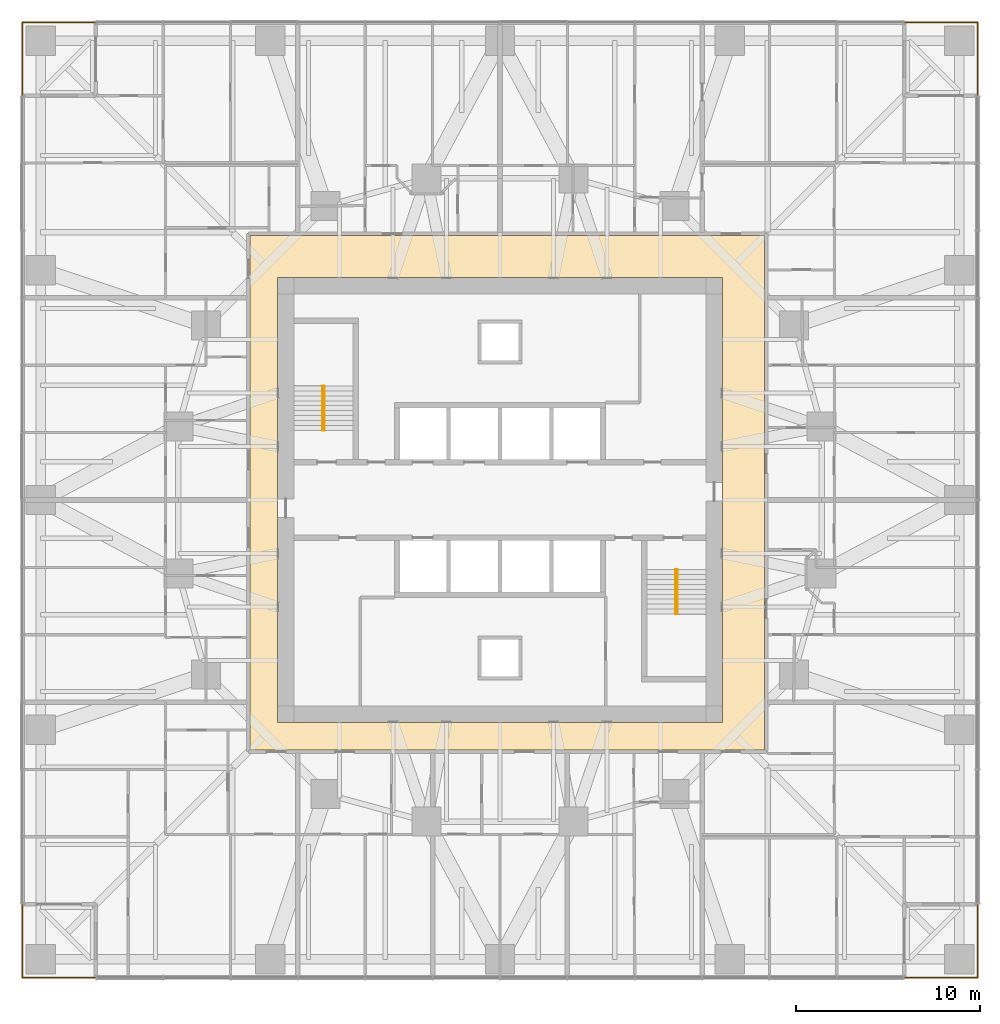
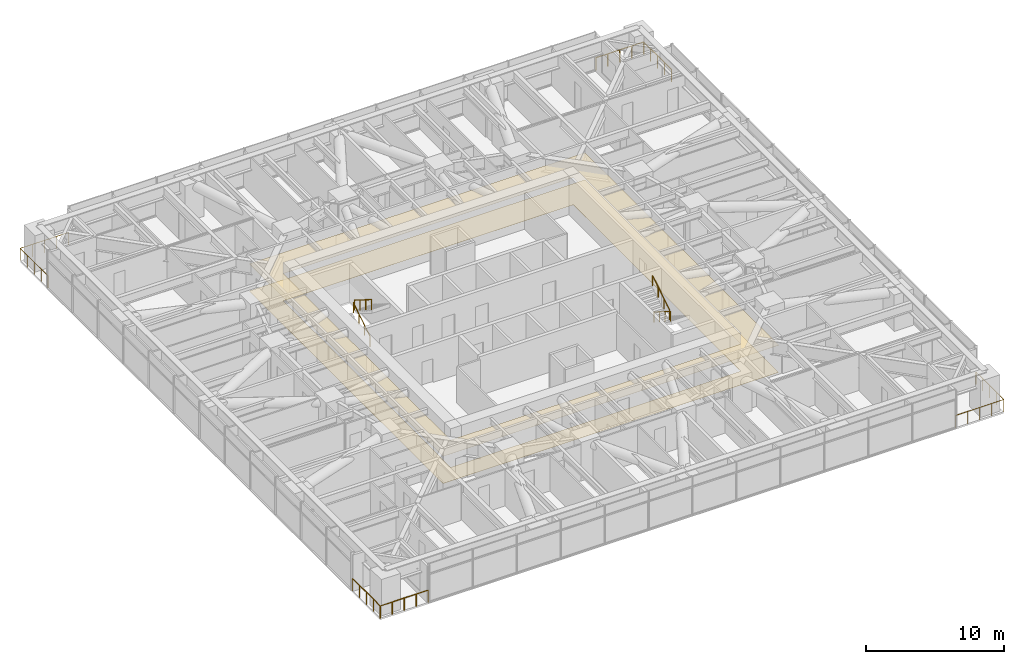
# One storey, part 17 of 17: 8 railings, 2 coverings, 2 elements without a shape of their own.
"""IFC4 building model written with IfcOpenShell, lengths in metres."""

from ifc_helpers import new_model, si_unit, direction, frame, origin, origin_2d, place, context, subcontext, project, spatial, polyline, circle, outline, extrude, material, layer, layer_set, type_object, element, aggregate, save


model = new_model("IFC4")

# Units and contexts
model_context = context("Model", 3, precision=1e-05, world=origin(), true_north=direction((0.0, 1.0)))
body_context = subcontext(model_context, "Body", "Model", "MODEL_VIEW")
ifc_project = project(units=[si_unit("LENGTHUNIT", "METRE"), si_unit("AREAUNIT", "SQUARE_METRE"), si_unit("VOLUMEUNIT", "CUBIC_METRE"), si_unit("PLANEANGLEUNIT", "RADIAN"), si_unit("MASSUNIT", "GRAM", prefix="KILO")], contexts=[model_context])

# Site, building, storey
site_placement = place(None, origin())
site = spatial("IfcSite", under=ifc_project, at=site_placement, CompositionType="ELEMENT")
building_placement = place(site_placement, origin())
building = spatial("IfcBuilding", under=site, at=building_placement, Name="Torsade Residences", CompositionType="ELEMENT")
storey_placement = place(building_placement, frame((0.0, 0.0, 38.800048828125)))
storey = spatial("IfcBuildingStorey", under=building, at=storey_placement, Name="L10", CompositionType="ELEMENT", Elevation=38.800048828125)

# Coverings
ifc_material_1 = material(Name="Nylon carpet tile on underlay", Category="textile")
ifc_layer_1 = layer(ifc_material_1, 0.010009765625)
ifc_layer_set_1 = layer_set([ifc_layer_1], Name="Nylon carpet tile on underlay")
covering_type_1 = type_object("IfcCoveringType", Name="CORRIDOR CARPET TILE 10", PredefinedType="FLOORING", material=ifc_layer_set_1)
covering_1_placement = place(storey_placement, origin())
element("IfcCovering", 1, at=covering_1_placement, inside=storey, type_object=covering_type_1, Name="Corridor carpet L10", PredefinedType="FLOORING", context=body_context, shape_type="SweptSolid", body=[
    extrude(outline(polyline([(54.39990234375, 16.39990234375), (54.39990234375, 44.39990234375), (26.39990234375, 44.39990234375), (26.39990234375, 16.39990234375), (54.39990234375, 16.39990234375)]), holes=[polyline([(52.10009765625, 42.10009765625), (27.89990234375, 42.10009765625), (27.89990234375, 17.89990234375), (52.10009765625, 17.89990234375), (52.10009765625, 42.10009765625)])]), origin(), (0.0, 0.0, 1.0), 0.010009765625),
])
ifc_material_2 = material(Name="Plasterboard on suspended steel grid", Category="steel")
ifc_layer_2 = layer(ifc_material_2, 0.012939453125)
ifc_layer_set_2 = layer_set([ifc_layer_2], Name="Plasterboard on suspended steel grid")
covering_type_2 = type_object("IfcCoveringType", Name="CORRIDOR SUSPENDED CEILING 13", PredefinedType="CEILING", material=ifc_layer_set_2)
covering_2_placement = place(storey_placement, frame((0.0, 0.0, 2.39990234375)))
element("IfcCovering", 2, at=covering_2_placement, inside=storey, type_object=covering_type_2, Name="Corridor ceiling L10", PredefinedType="CEILING", context=body_context, shape_type="SweptSolid", body=[
    extrude(outline(polyline([(54.39990234375, 16.39990234375), (54.39990234375, 44.39990234375), (26.39990234375, 44.39990234375), (26.39990234375, 16.39990234375), (54.39990234375, 16.39990234375)]), holes=[polyline([(52.10009765625, 42.10009765625), (27.89990234375, 42.10009765625), (27.89990234375, 17.89990234375), (52.10009765625, 17.89990234375), (52.10009765625, 42.10009765625)])]), origin(), (0.0, 0.0, 1.0), 0.012939453125),
])

# Stair, railings
ifc_material_3 = material(Name="Precast concrete 40 MPa", Category="concrete")
stair_type = type_object("IfcStairType", Name="HALF-TURN FIRE STAIR 1500x3400", PredefinedType="HALF_TURN_STAIR", material=ifc_material_3)
stair_1_placement = place(storey_placement, origin())
stair_1 = element("IfcStair", 3, at=stair_1_placement, inside=storey, type_object=stair_type, Name="Stair ST1 L10", PredefinedType="HALF_TURN_STAIR")
ifc_material_4 = material(Name="Steel handrail", Category="steel")
railing_type_1 = type_object("IfcRailingType", Name="STAIR HANDRAIL 900", PredefinedType="HANDRAIL", material=ifc_material_4)
railing_1_placement = place(storey_placement, frame((30.35009765625, 33.780029296875, 0.169921875)))
railing_1 = element("IfcRailing", 4, at=railing_1_placement, type_object=railing_type_1, Name="Handrail ST1 flight 1 L10", PredefinedType="HANDRAIL", context=body_context, shape_type="SweptSolid", body=[
    extrude(circle(Radius=0.02392578125, at=origin_2d()), frame((0.0, 0.0, 0.8759765625), z_axis=(0.0, 0.846221481393, 0.532831309544), x_axis=(-1.0, 0.0, 0.0)), (0.0, 0.0, 1.0), 2.87158203125),
    extrude(circle(Radius=0.02099609375, at=origin_2d()), origin(), (0.0, 0.0, 1.0), 0.851806640625),
    extrude(circle(Radius=0.02099609375, at=origin_2d()), frame((0.0, 0.81005859375, 0.510009765625)), (0.0, 0.0, 1.0), 0.851806640625),
    extrude(circle(Radius=0.02099609375, at=origin_2d()), frame((0.0, 1.619873046875, 1.02001953125)), (0.0, 0.0, 1.0), 0.851806640625),
    extrude(circle(Radius=0.02099609375, at=origin_2d()), frame((0.0, 2.429931640625, 1.530029296875)), (0.0, 0.0, 1.0), 0.851806640625),
])
railing_2_placement = place(storey_placement, frame((30.449951171875, 36.2099609375, 1.869873046875)))
railing_2 = element("IfcRailing", 5, at=railing_2_placement, type_object=railing_type_1, Name="Handrail ST1 flight 2 L10", PredefinedType="HANDRAIL", context=body_context, shape_type="SweptSolid", body=[
    extrude(circle(Radius=0.02392578125, at=origin_2d()), frame((0.0, 0.0, 0.8759765625), z_axis=(0.0, -0.846221481393, 0.532831309544), x_axis=(1.0, 0.0, 0.0)), (0.0, 0.0, 1.0), 2.87158203125),
    extrude(circle(Radius=0.02099609375, at=origin_2d()), origin(), (0.0, 0.0, 1.0), 0.851806640625),
    extrude(circle(Radius=0.02099609375, at=origin_2d()), frame((0.0, -0.81005859375, 0.510009765625)), (0.0, 0.0, 1.0), 0.851806640625),
    extrude(circle(Radius=0.02099609375, at=origin_2d()), frame((0.0, -1.619873046875, 1.02001953125)), (0.0, 0.0, 1.0), 0.851806640625),
    extrude(circle(Radius=0.02099609375, at=origin_2d()), frame((0.0, -2.429931640625, 1.530029296875)), (0.0, 0.0, 1.0), 0.851806640625),
])
aggregate(stair_1, [railing_1, railing_2])

stair_2_placement = place(storey_placement, origin())
stair_2 = element("IfcStair", 6, at=stair_2_placement, inside=storey, type_object=stair_type, Name="Stair ST2 L10", PredefinedType="HALF_TURN_STAIR")
railing_3_placement = place(storey_placement, frame((49.64990234375, 26.219970703125, 0.169921875)))
railing_3 = element("IfcRailing", 7, at=railing_3_placement, type_object=railing_type_1, Name="Handrail ST2 flight 1 L10", PredefinedType="HANDRAIL", context=body_context, shape_type="SweptSolid", body=[
    extrude(circle(Radius=0.02392578125, at=origin_2d()), frame((0.0, 0.0, 0.8759765625), z_axis=(0.0, -0.846221481393, 0.532831309544), x_axis=(1.0, 0.0, 0.0)), (0.0, 0.0, 1.0), 2.87158203125),
    extrude(circle(Radius=0.02099609375, at=origin_2d()), origin(), (0.0, 0.0, 1.0), 0.851806640625),
    extrude(circle(Radius=0.02099609375, at=origin_2d()), frame((0.0, -0.81005859375, 0.510009765625)), (0.0, 0.0, 1.0), 0.851806640625),
    extrude(circle(Radius=0.02099609375, at=origin_2d()), frame((0.0, -1.619873046875, 1.02001953125)), (0.0, 0.0, 1.0), 0.851806640625),
    extrude(circle(Radius=0.02099609375, at=origin_2d()), frame((0.0, -2.429931640625, 1.530029296875)), (0.0, 0.0, 1.0), 0.851806640625),
])
railing_4_placement = place(storey_placement, frame((49.550048828125, 23.7900390625, 1.869873046875)))
railing_4 = element("IfcRailing", 8, at=railing_4_placement, type_object=railing_type_1, Name="Handrail ST2 flight 2 L10", PredefinedType="HANDRAIL", context=body_context, shape_type="SweptSolid", body=[
    extrude(circle(Radius=0.02392578125, at=origin_2d()), frame((0.0, 0.0, 0.8759765625), z_axis=(0.0, 0.846221481393, 0.532831309544), x_axis=(-1.0, 0.0, 0.0)), (0.0, 0.0, 1.0), 2.87158203125),
    extrude(circle(Radius=0.02099609375, at=origin_2d()), origin(), (0.0, 0.0, 1.0), 0.851806640625),
    extrude(circle(Radius=0.02099609375, at=origin_2d()), frame((0.0, 0.81005859375, 0.510009765625)), (0.0, 0.0, 1.0), 0.851806640625),
    extrude(circle(Radius=0.02099609375, at=origin_2d()), frame((0.0, 1.619873046875, 1.02001953125)), (0.0, 0.0, 1.0), 0.851806640625),
    extrude(circle(Radius=0.02099609375, at=origin_2d()), frame((0.0, 2.429931640625, 1.530029296875)), (0.0, 0.0, 1.0), 0.851806640625),
])
aggregate(stair_2, [railing_3, railing_4])

# Railings
ifc_material_5 = material(Name="Laminated glass balustrade", Category="glass")
railing_type_2 = type_object("IfcRailingType", Name="TERRACE GLASS BALUSTRADE 1100", PredefinedType="BALUSTRADE", material=ifc_material_5)
railing_5_placement = place(storey_placement, frame((62.0, 4.0, 0.0)))
element("IfcRailing", 9, at=railing_5_placement, inside=storey, type_object=railing_type_2, Name="Terrace balustrade SE L10", PredefinedType="BALUSTRADE", context=body_context, shape_type="SweptSolid", body=[
    extrude(circle(Radius=0.02392578125, at=origin_2d()), frame((0.0, 0.0, 1.076171875), z_axis=(1.0, 0.0, 0.0), x_axis=(0.0, 1.0, 0.0)), (0.0, 0.0, 1.0), 4.0),
    extrude(circle(Radius=0.02392578125, at=origin_2d()), frame((4.0, 0.0, 1.076171875), z_axis=(0.0, 1.0, 0.0), x_axis=(-1.0, 0.0, 0.0)), (0.0, 0.0, 1.0), 4.0),
    extrude(circle(Radius=0.02099609375, at=origin_2d()), origin(), (0.0, 0.0, 1.0), 1.052001953125),
    extrude(circle(Radius=0.02099609375, at=origin_2d()), frame((1.0, 0.0, 0.0)), (0.0, 0.0, 1.0), 1.052001953125),
    extrude(circle(Radius=0.02099609375, at=origin_2d()), frame((2.0, 0.0, 0.0)), (0.0, 0.0, 1.0), 1.052001953125),
    extrude(circle(Radius=0.02099609375, at=origin_2d()), frame((3.0, 0.0, 0.0)), (0.0, 0.0, 1.0), 1.052001953125),
    extrude(circle(Radius=0.02099609375, at=origin_2d()), frame((4.0, 0.0, 0.0)), (0.0, 0.0, 1.0), 1.052001953125),
    extrude(circle(Radius=0.02099609375, at=origin_2d()), frame((4.0, 1.0, 0.0)), (0.0, 0.0, 1.0), 1.052001953125),
    extrude(circle(Radius=0.02099609375, at=origin_2d()), frame((4.0, 2.0, 0.0)), (0.0, 0.0, 1.0), 1.052001953125),
    extrude(circle(Radius=0.02099609375, at=origin_2d()), frame((4.0, 3.0, 0.0)), (0.0, 0.0, 1.0), 1.052001953125),
    extrude(circle(Radius=0.02099609375, at=origin_2d()), frame((4.0, 4.0, 0.0)), (0.0, 0.0, 1.0), 1.052001953125),
])
railing_6_placement = place(storey_placement, frame((66.0, 52.0, 0.0)))
element("IfcRailing", 10, at=railing_6_placement, inside=storey, type_object=railing_type_2, Name="Terrace balustrade NE L10", PredefinedType="BALUSTRADE", context=body_context, shape_type="SweptSolid", body=[
    extrude(circle(Radius=0.02392578125, at=origin_2d()), frame((0.0, 0.0, 1.076171875), z_axis=(0.0, 1.0, 0.0), x_axis=(-1.0, 0.0, 0.0)), (0.0, 0.0, 1.0), 4.0),
    extrude(circle(Radius=0.02392578125, at=origin_2d()), frame((0.0, 4.0, 1.076171875), z_axis=(-1.0, 0.0, 0.0), x_axis=(0.0, -1.0, 0.0)), (0.0, 0.0, 1.0), 4.0),
    extrude(circle(Radius=0.02099609375, at=origin_2d()), origin(), (0.0, 0.0, 1.0), 1.052001953125),
    extrude(circle(Radius=0.02099609375, at=origin_2d()), frame((0.0, 1.0, 0.0)), (0.0, 0.0, 1.0), 1.052001953125),
    extrude(circle(Radius=0.02099609375, at=origin_2d()), frame((0.0, 2.0, 0.0)), (0.0, 0.0, 1.0), 1.052001953125),
    extrude(circle(Radius=0.02099609375, at=origin_2d()), frame((0.0, 3.0, 0.0)), (0.0, 0.0, 1.0), 1.052001953125),
    extrude(circle(Radius=0.02099609375, at=origin_2d()), frame((0.0, 4.0, 0.0)), (0.0, 0.0, 1.0), 1.052001953125),
    extrude(circle(Radius=0.02099609375, at=origin_2d()), frame((-1.0, 4.0, 0.0)), (0.0, 0.0, 1.0), 1.052001953125),
    extrude(circle(Radius=0.02099609375, at=origin_2d()), frame((-2.0, 4.0, 0.0)), (0.0, 0.0, 1.0), 1.052001953125),
    extrude(circle(Radius=0.02099609375, at=origin_2d()), frame((-3.0, 4.0, 0.0)), (0.0, 0.0, 1.0), 1.052001953125),
    extrude(circle(Radius=0.02099609375, at=origin_2d()), frame((-4.0, 4.0, 0.0)), (0.0, 0.0, 1.0), 1.052001953125),
])
railing_7_placement = place(storey_placement, frame((18.0, 56.0, 0.0)))
element("IfcRailing", 11, at=railing_7_placement, inside=storey, type_object=railing_type_2, Name="Terrace balustrade NW L10", PredefinedType="BALUSTRADE", context=body_context, shape_type="SweptSolid", body=[
    extrude(circle(Radius=0.02392578125, at=origin_2d()), frame((0.0, 0.0, 1.076171875), z_axis=(-1.0, 0.0, 0.0), x_axis=(0.0, -1.0, 0.0)), (0.0, 0.0, 1.0), 4.0),
    extrude(circle(Radius=0.02392578125, at=origin_2d()), frame((-4.0, 0.0, 1.076171875), z_axis=(0.0, -1.0, 0.0), x_axis=(1.0, 0.0, 0.0)), (0.0, 0.0, 1.0), 4.0),
    extrude(circle(Radius=0.02099609375, at=origin_2d()), origin(), (0.0, 0.0, 1.0), 1.052001953125),
    extrude(circle(Radius=0.02099609375, at=origin_2d()), frame((-1.0, 0.0, 0.0)), (0.0, 0.0, 1.0), 1.052001953125),
    extrude(circle(Radius=0.02099609375, at=origin_2d()), frame((-2.0, 0.0, 0.0)), (0.0, 0.0, 1.0), 1.052001953125),
    extrude(circle(Radius=0.02099609375, at=origin_2d()), frame((-3.0, 0.0, 0.0)), (0.0, 0.0, 1.0), 1.052001953125),
    extrude(circle(Radius=0.02099609375, at=origin_2d()), frame((-4.0, 0.0, 0.0)), (0.0, 0.0, 1.0), 1.052001953125),
    extrude(circle(Radius=0.02099609375, at=origin_2d()), frame((-4.0, -1.0, 0.0)), (0.0, 0.0, 1.0), 1.052001953125),
    extrude(circle(Radius=0.02099609375, at=origin_2d()), frame((-4.0, -2.0, 0.0)), (0.0, 0.0, 1.0), 1.052001953125),
    extrude(circle(Radius=0.02099609375, at=origin_2d()), frame((-4.0, -3.0, 0.0)), (0.0, 0.0, 1.0), 1.052001953125),
    extrude(circle(Radius=0.02099609375, at=origin_2d()), frame((-4.0, -4.0, 0.0)), (0.0, 0.0, 1.0), 1.052001953125),
])
railing_8_placement = place(storey_placement, frame((14.0, 8.0, 0.0)))
element("IfcRailing", 12, at=railing_8_placement, inside=storey, type_object=railing_type_2, Name="Terrace balustrade SW L10", PredefinedType="BALUSTRADE", context=body_context, shape_type="SweptSolid", body=[
    extrude(circle(Radius=0.02392578125, at=origin_2d()), frame((0.0, 0.0, 1.076171875), z_axis=(0.0, -1.0, 0.0), x_axis=(1.0, 0.0, 0.0)), (0.0, 0.0, 1.0), 4.0),
    extrude(circle(Radius=0.02392578125, at=origin_2d()), frame((0.0, -4.0, 1.076171875), z_axis=(1.0, 0.0, 0.0), x_axis=(0.0, 1.0, 0.0)), (0.0, 0.0, 1.0), 4.0),
    extrude(circle(Radius=0.02099609375, at=origin_2d()), origin(), (0.0, 0.0, 1.0), 1.052001953125),
    extrude(circle(Radius=0.02099609375, at=origin_2d()), frame((0.0, -1.0, 0.0)), (0.0, 0.0, 1.0), 1.052001953125),
    extrude(circle(Radius=0.02099609375, at=origin_2d()), frame((0.0, -2.0, 0.0)), (0.0, 0.0, 1.0), 1.052001953125),
    extrude(circle(Radius=0.02099609375, at=origin_2d()), frame((0.0, -3.0, 0.0)), (0.0, 0.0, 1.0), 1.052001953125),
    extrude(circle(Radius=0.02099609375, at=origin_2d()), frame((0.0, -4.0, 0.0)), (0.0, 0.0, 1.0), 1.052001953125),
    extrude(circle(Radius=0.02099609375, at=origin_2d()), frame((1.0, -4.0, 0.0)), (0.0, 0.0, 1.0), 1.052001953125),
    extrude(circle(Radius=0.02099609375, at=origin_2d()), frame((2.0, -4.0, 0.0)), (0.0, 0.0, 1.0), 1.052001953125),
    extrude(circle(Radius=0.02099609375, at=origin_2d()), frame((3.0, -4.0, 0.0)), (0.0, 0.0, 1.0), 1.052001953125),
    extrude(circle(Radius=0.02099609375, at=origin_2d()), frame((4.0, -4.0, 0.0)), (0.0, 0.0, 1.0), 1.052001953125),
])

save(model, "model.ifc")
